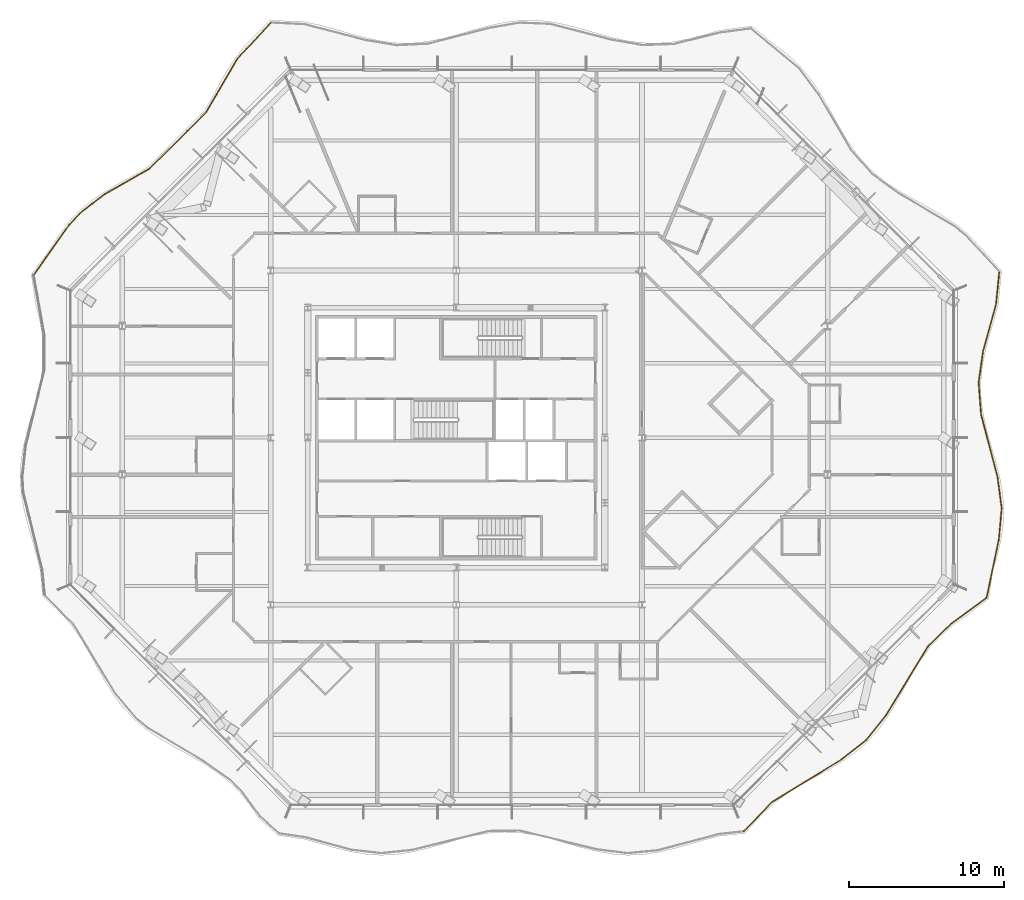
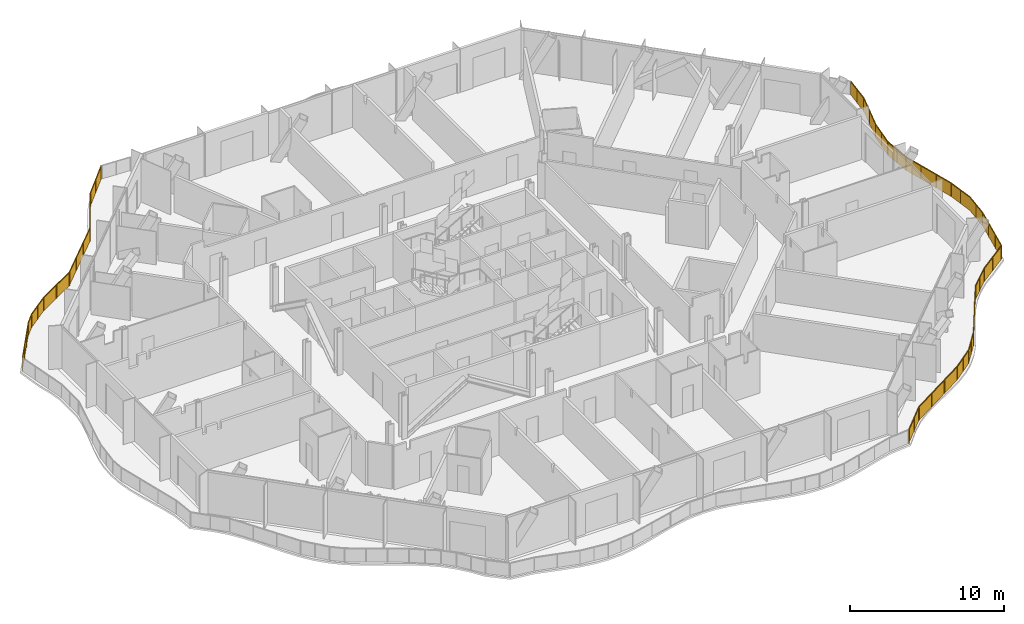
# One storey, part 17 of 19: 3 railings.
"""IFC4 building model written with IfcOpenShell, lengths in metres."""

from ifc_helpers import new_model, si_unit, direction, frame, origin, origin_2d, place, context, subcontext, project, spatial, polyline, rectangle, outline, extrude, material, type_object, element, save


model = new_model("IFC4")

# Units and contexts
model_context = context("Model", 3, precision=1e-05, world=origin(), true_north=direction((0.0, 1.0)))
body_context = subcontext(model_context, "Body", "Model", "MODEL_VIEW")
ifc_project = project(units=[si_unit("LENGTHUNIT", "METRE"), si_unit("AREAUNIT", "SQUARE_METRE"), si_unit("VOLUMEUNIT", "CUBIC_METRE"), si_unit("PLANEANGLEUNIT", "RADIAN"), si_unit("MASSUNIT", "GRAM", prefix="KILO")], contexts=[model_context])

# Site, building, storey
site_placement = place(None, origin())
site = spatial("IfcSite", under=ifc_project, at=site_placement, CompositionType="ELEMENT")
building_placement = place(site_placement, origin())
building = spatial("IfcBuilding", under=site, at=building_placement, Name="Cairn Pilgrim Tower", CompositionType="ELEMENT")
storey_placement = place(building_placement, frame((0.0, 0.0, 186.60009765625)))
storey = spatial("IfcBuildingStorey", under=building, at=storey_placement, Name="L47", CompositionType="ELEMENT", Elevation=186.60009765625)

# Railings
ifc_material = material(Name="Bronze anodised aluminium rail and posts with laminated glass infill", Category="aluminium")
railing_type = type_object("IfcRailingType", Name="BALCONY GUARD 1100", PredefinedType="GUARDRAIL", material=ifc_material)
railing_1_placement = place(storey_placement, frame((25.78515625, -23.03857421875, 0.0)))
element("IfcRailing", 1, at=railing_1_placement, inside=storey, type_object=railing_type, Name="Balcony guard BG-4", PredefinedType="GUARDRAIL", context=body_context, shape_type="SweptSolid", body=[
    extrude(rectangle(XDim=0.050048828125, YDim=0.050048828125, at=origin_2d()), frame((0.0, 0.0, 1.0751953125), z_axis=(0.696086992853, 0.717957448866, 0.0), x_axis=(-0.717957448866, 0.696086992853, 0.0)), (0.0, 0.0, 1.0), 2.65673828125),
    extrude(rectangle(XDim=0.050048828125, YDim=0.050048828125, at=origin_2d()), frame((1.849365234375, 1.907470703125, 1.0751953125), z_axis=(0.85289739895, 0.522078563881, 0.0), x_axis=(-0.522078563881, 0.85289739895, 0.0)), (0.0, 0.0, 1.0), 5.246337890625),
    extrude(rectangle(XDim=0.050048828125, YDim=0.050048828125, at=origin_2d()), frame((6.323974609375, 4.646484375, 1.0751953125), z_axis=(0.783392372102, 0.621527466273, 0.0), x_axis=(-0.621527466273, 0.783392372102, 0.0)), (0.0, 0.0, 1.0), 2.024169921875),
    extrude(rectangle(XDim=0.050048828125, YDim=0.050048828125, at=origin_2d()), frame((7.90966796875, 5.904541015625, 1.0751953125), z_axis=(0.627195269755, 0.778862050428, 0.0), x_axis=(-0.778862050428, 0.627195269755, 0.0)), (0.0, 0.0, 1.0), 2.021728515625),
    extrude(rectangle(XDim=0.050048828125, YDim=0.050048828125, at=origin_2d()), frame((9.177734375, 7.479248046875, 1.0751953125), z_axis=(0.520817524225, 0.853668030595, 0.0), x_axis=(-0.853668030595, 0.520817524225, 0.0)), (0.0, 0.0, 1.0), 5.247314453125),
    extrude(rectangle(XDim=0.050048828125, YDim=0.050048828125, at=origin_2d()), frame((11.91064453125, 11.958740234375, 1.0751953125), z_axis=(0.715797796367, 0.698307607517, 0.0), x_axis=(-0.698307607517, 0.715797796367, 0.0)), (0.0, 0.0, 1.0), 2.06591796875),
    extrude(rectangle(XDim=0.050048828125, YDim=0.050048828125, at=origin_2d()), frame((13.389404296875, 13.4013671875, 1.0751953125), z_axis=(0.805356580286, 0.592790670128, 0.0), x_axis=(-0.592790670128, 0.805356580286, 0.0)), (0.0, 0.0, 1.0), 2.79443359375),
    extrude(rectangle(XDim=0.050048828125, YDim=0.050048828125, at=origin_2d()), origin(), (0.0, 0.0, 1.0), 1.050048828125),
    extrude(rectangle(XDim=0.050048828125, YDim=0.050048828125, at=origin_2d()), frame((0.9248046875, 0.95361328125, 0.0)), (0.0, 0.0, 1.0), 1.050048828125),
    extrude(rectangle(XDim=0.050048828125, YDim=0.050048828125, at=origin_2d()), frame((1.849365234375, 1.907470703125, 0.0)), (0.0, 0.0, 1.0), 1.050048828125),
    extrude(rectangle(XDim=0.050048828125, YDim=0.050048828125, at=origin_2d()), frame((3.3408203125, 2.820556640625, 0.0)), (0.0, 0.0, 1.0), 1.050048828125),
    extrude(rectangle(XDim=0.050048828125, YDim=0.050048828125, at=origin_2d()), frame((4.83251953125, 3.7333984375, 0.0)), (0.0, 0.0, 1.0), 1.050048828125),
    extrude(rectangle(XDim=0.050048828125, YDim=0.050048828125, at=origin_2d()), frame((6.323974609375, 4.646484375, 0.0)), (0.0, 0.0, 1.0), 1.050048828125),
    extrude(rectangle(XDim=0.050048828125, YDim=0.050048828125, at=origin_2d()), frame((7.11669921875, 5.275390625, 0.0)), (0.0, 0.0, 1.0), 1.050048828125),
    extrude(rectangle(XDim=0.050048828125, YDim=0.050048828125, at=origin_2d()), frame((7.90966796875, 5.904541015625, 0.0)), (0.0, 0.0, 1.0), 1.050048828125),
    extrude(rectangle(XDim=0.050048828125, YDim=0.050048828125, at=origin_2d()), frame((8.543701171875, 6.69189453125, 0.0)), (0.0, 0.0, 1.0), 1.050048828125),
    extrude(rectangle(XDim=0.050048828125, YDim=0.050048828125, at=origin_2d()), frame((9.177734375, 7.479248046875, 0.0)), (0.0, 0.0, 1.0), 1.050048828125),
    extrude(rectangle(XDim=0.050048828125, YDim=0.050048828125, at=origin_2d()), frame((10.088623046875, 8.972412109375, 0.0)), (0.0, 0.0, 1.0), 1.050048828125),
    extrude(rectangle(XDim=0.050048828125, YDim=0.050048828125, at=origin_2d()), frame((10.999755859375, 10.465576171875, 0.0)), (0.0, 0.0, 1.0), 1.050048828125),
    extrude(rectangle(XDim=0.050048828125, YDim=0.050048828125, at=origin_2d()), frame((11.91064453125, 11.958740234375, 0.0)), (0.0, 0.0, 1.0), 1.050048828125),
    extrude(rectangle(XDim=0.050048828125, YDim=0.050048828125, at=origin_2d()), frame((12.64990234375, 12.68017578125, 0.0)), (0.0, 0.0, 1.0), 1.050048828125),
    extrude(rectangle(XDim=0.050048828125, YDim=0.050048828125, at=origin_2d()), frame((13.389404296875, 13.4013671875, 0.0)), (0.0, 0.0, 1.0), 1.050048828125),
    extrude(rectangle(XDim=0.050048828125, YDim=0.050048828125, at=origin_2d()), frame((14.5146484375, 14.2294921875, 0.0)), (0.0, 0.0, 1.0), 1.050048828125),
    extrude(rectangle(XDim=0.050048828125, YDim=0.050048828125, at=origin_2d()), frame((15.639892578125, 15.057861328125, 0.0)), (0.0, 0.0, 1.0), 1.050048828125),
    extrude(outline(polyline([(0.02490234375, 0.0), (1.303466796875, 0.0), (1.303466796875, 1.050048828125), (0.02490234375, 1.050048828125), (0.02490234375, 0.0)])), frame((-0.00439453125, 0.004150390625, 0.0), z_axis=(0.717957448866, -0.696086992853, 0.0), x_axis=(0.696086992853, 0.717957448866, 0.0)), (0.0, 0.0, 1.0), 0.011962890625),
    extrude(outline(polyline([(0.02490234375, 0.0), (1.303466796875, 0.0), (1.303466796875, 1.050048828125), (0.02490234375, 1.050048828125), (0.02490234375, 0.0)])), frame((0.92041015625, 0.9580078125, 0.0), z_axis=(0.717957448866, -0.696086992853, 0.0), x_axis=(0.696086992853, 0.717957448866, 0.0)), (0.0, 0.0, 1.0), 0.011962890625),
    extrude(outline(polyline([(0.02490234375, 0.0), (1.723876953125, 0.0), (1.723876953125, 1.050048828125), (0.02490234375, 1.050048828125), (0.02490234375, 0.0)])), frame((1.84619140625, 1.91259765625, 0.0), z_axis=(0.522078563881, -0.85289739895, 0.0), x_axis=(0.85289739895, 0.522078563881, 0.0)), (0.0, 0.0, 1.0), 0.011962890625),
    extrude(outline(polyline([(0.02490234375, 0.0), (1.723876953125, 0.0), (1.723876953125, 1.050048828125), (0.02490234375, 1.050048828125), (0.02490234375, 0.0)])), frame((3.337890625, 2.82568359375, 0.0), z_axis=(0.522078563881, -0.85289739895, 0.0), x_axis=(0.85289739895, 0.522078563881, 0.0)), (0.0, 0.0, 1.0), 0.011962890625),
    extrude(outline(polyline([(0.02490234375, 0.0), (1.723876953125, 0.0), (1.723876953125, 1.050048828125), (0.02490234375, 1.050048828125), (0.02490234375, 0.0)])), frame((4.829345703125, 3.738525390625, 0.0), z_axis=(0.522078563881, -0.85289739895, 0.0), x_axis=(0.85289739895, 0.522078563881, 0.0)), (0.0, 0.0, 1.0), 0.011962890625),
    extrude(outline(polyline([(0.02490234375, 0.0), (0.987060546875, 0.0), (0.987060546875, 1.050048828125), (0.02490234375, 1.050048828125), (0.02490234375, 0.0)])), frame((6.3203125, 4.651123046875, 0.0), z_axis=(0.621527466273, -0.783392372102, 0.0), x_axis=(0.783392372102, 0.621527466273, 0.0)), (0.0, 0.0, 1.0), 0.011962890625),
    extrude(outline(polyline([(0.02490234375, 0.0), (0.987060546875, 0.0), (0.987060546875, 1.050048828125), (0.02490234375, 1.050048828125), (0.02490234375, 0.0)])), frame((7.113037109375, 5.2802734375, 0.0), z_axis=(0.621527466273, -0.783392372102, 0.0), x_axis=(0.783392372102, 0.621527466273, 0.0)), (0.0, 0.0, 1.0), 0.011962890625),
    extrude(outline(polyline([(0.02490234375, 0.0), (0.98583984375, 0.0), (0.98583984375, 1.050048828125), (0.02490234375, 1.050048828125), (0.02490234375, 0.0)])), frame((7.905029296875, 5.908203125, 0.0), z_axis=(0.778862050428, -0.627195269755, 0.0), x_axis=(0.627195269755, 0.778862050428, 0.0)), (0.0, 0.0, 1.0), 0.011962890625),
    extrude(outline(polyline([(0.02490234375, 0.0), (0.98583984375, 0.0), (0.98583984375, 1.050048828125), (0.02490234375, 1.050048828125), (0.02490234375, 0.0)])), frame((8.5390625, 6.695556640625, 0.0), z_axis=(0.778862050428, -0.627195269755, 0.0), x_axis=(0.627195269755, 0.778862050428, 0.0)), (0.0, 0.0, 1.0), 0.011962890625),
    extrude(outline(polyline([(0.02490234375, 0.0), (1.72412109375, 0.0), (1.72412109375, 1.050048828125), (0.02490234375, 1.050048828125), (0.02490234375, 0.0)])), frame((9.172607421875, 7.482421875, 0.0), z_axis=(0.853668030595, -0.520817524225, 0.0), x_axis=(0.520817524225, 0.853668030595, 0.0)), (0.0, 0.0, 1.0), 0.011962890625),
    extrude(outline(polyline([(0.02490234375, 0.0), (1.72412109375, 0.0), (1.72412109375, 1.050048828125), (0.02490234375, 1.050048828125), (0.02490234375, 0.0)])), frame((10.08349609375, 8.9755859375, 0.0), z_axis=(0.853668030595, -0.520817524225, 0.0), x_axis=(0.520817524225, 0.853668030595, 0.0)), (0.0, 0.0, 1.0), 0.011962890625),
    extrude(outline(polyline([(0.02490234375, 0.0), (1.72412109375, 0.0), (1.72412109375, 1.050048828125), (0.02490234375, 1.050048828125), (0.02490234375, 0.0)])), frame((10.99462890625, 10.46875, 0.0), z_axis=(0.853668030595, -0.520817524225, 0.0), x_axis=(0.520817524225, 0.853668030595, 0.0)), (0.0, 0.0, 1.0), 0.011962890625),
    extrude(outline(polyline([(0.02490234375, 0.0), (1.0078125, 0.0), (1.0078125, 1.050048828125), (0.02490234375, 1.050048828125), (0.02490234375, 0.0)])), frame((11.906494140625, 11.963134765625, 0.0), z_axis=(0.698307607517, -0.715797796367, 0.0), x_axis=(0.715797796367, 0.698307607517, 0.0)), (0.0, 0.0, 1.0), 0.011962890625),
    extrude(outline(polyline([(0.02490234375, 0.0), (1.0078125, 0.0), (1.0078125, 1.050048828125), (0.02490234375, 1.050048828125), (0.02490234375, 0.0)])), frame((12.645751953125, 12.684326171875, 0.0), z_axis=(0.698307607517, -0.715797796367, 0.0), x_axis=(0.715797796367, 0.698307607517, 0.0)), (0.0, 0.0, 1.0), 0.011962890625),
    extrude(outline(polyline([(0.02490234375, 0.0), (1.3720703125, 0.0), (1.3720703125, 1.050048828125), (0.02490234375, 1.050048828125), (0.02490234375, 0.0)])), frame((13.3857421875, 13.40625, 0.0), z_axis=(0.592790670128, -0.805356580286, 0.0), x_axis=(0.805356580286, 0.592790670128, 0.0)), (0.0, 0.0, 1.0), 0.011962890625),
    extrude(outline(polyline([(0.02490234375, 0.0), (1.3720703125, 0.0), (1.3720703125, 1.050048828125), (0.02490234375, 1.050048828125), (0.02490234375, 0.0)])), frame((14.510986328125, 14.234375, 0.0), z_axis=(0.592790670128, -0.805356580286, 0.0), x_axis=(0.805356580286, 0.592790670128, 0.0)), (0.0, 0.0, 1.0), 0.011962890625),
])
railing_2_placement = place(storey_placement, frame((41.473388671875, -7.945068359375, 0.0)))
element("IfcRailing", 2, at=railing_2_placement, inside=storey, type_object=railing_type, Name="Balcony guard BG-5", PredefinedType="GUARDRAIL", context=body_context, shape_type="SweptSolid", body=[
    extrude(rectangle(XDim=0.050048828125, YDim=0.050048828125, at=origin_2d()), frame((0.0, 0.0, 1.0751953125), z_axis=(0.205493739415, 0.97865843023, 0.0), x_axis=(-0.97865843023, 0.205493739415, 0.0)), (0.0, 0.0, 1.0), 3.88134765625),
    extrude(rectangle(XDim=0.050048828125, YDim=0.050048828125, at=origin_2d()), frame((0.797607421875, 3.798583984375, 1.0751953125), z_axis=(0.087491942893, 0.996165227223, 0.0), x_axis=(-0.996165227223, 0.087491942893, 0.0)), (0.0, 0.0, 1.0), 2.00341796875),
    extrude(rectangle(XDim=0.050048828125, YDim=0.050048828125, at=origin_2d()), frame((0.972900390625, 5.79443359375, 1.0751953125), z_axis=(-0.131853840713, 0.991269168636, 0.0), x_axis=(-0.991269168636, -0.131853840713, 0.0)), (0.0, 0.0, 1.0), 2.0126953125),
    extrude(rectangle(XDim=0.050048828125, YDim=0.050048828125, at=origin_2d()), frame((0.70751953125, 7.78955078125, 1.0751953125), z_axis=(-0.254476065544, 0.967079072292, 0.0), x_axis=(-0.967079072292, -0.254476065544, 0.0)), (0.0, 0.0, 1.0), 4.183837890625),
    extrude(rectangle(XDim=0.050048828125, YDim=0.050048828125, at=origin_2d()), frame((-0.357177734375, 11.835693359375, 1.0751953125), z_axis=(-0.078683862761, 0.996899618688, 0.0), x_axis=(-0.996899618688, -0.078683862761, 0.0)), (0.0, 0.0, 1.0), 2.05712890625),
    extrude(rectangle(XDim=0.050048828125, YDim=0.050048828125, at=origin_2d()), frame((-0.51904296875, 13.886474609375, 1.0751953125), z_axis=(0.13993329814, 0.99016093241, 0.0), x_axis=(-0.99016093241, 0.13993329814, 0.0)), (0.0, 0.0, 1.0), 2.0673828125),
    extrude(rectangle(XDim=0.050048828125, YDim=0.050048828125, at=origin_2d()), frame((-0.229736328125, 15.93359375, 1.0751953125), z_axis=(0.266862431594, 0.963734632875, 0.0), x_axis=(-0.963734632875, 0.266862431594, 0.0)), (0.0, 0.0, 1.0), 3.142578125),
    extrude(rectangle(XDim=0.050048828125, YDim=0.050048828125, at=origin_2d()), frame((0.60888671875, 18.962158203125, 1.0751953125), z_axis=(0.100019359985, 0.994985491165, 0.0), x_axis=(-0.994985491165, 0.100019359985, 0.0)), (0.0, 0.0, 1.0), 2.0625),
    extrude(rectangle(XDim=0.050048828125, YDim=0.050048828125, at=origin_2d()), origin(), (0.0, 0.0, 1.0), 1.050048828125),
    extrude(rectangle(XDim=0.050048828125, YDim=0.050048828125, at=origin_2d()), frame((0.265869140625, 1.26611328125, 0.0)), (0.0, 0.0, 1.0), 1.050048828125),
    extrude(rectangle(XDim=0.050048828125, YDim=0.050048828125, at=origin_2d()), frame((0.53173828125, 2.532470703125, 0.0)), (0.0, 0.0, 1.0), 1.050048828125),
    extrude(rectangle(XDim=0.050048828125, YDim=0.050048828125, at=origin_2d()), frame((0.797607421875, 3.798583984375, 0.0)), (0.0, 0.0, 1.0), 1.050048828125),
    extrude(rectangle(XDim=0.050048828125, YDim=0.050048828125, at=origin_2d()), frame((0.88525390625, 4.79638671875, 0.0)), (0.0, 0.0, 1.0), 1.050048828125),
    extrude(rectangle(XDim=0.050048828125, YDim=0.050048828125, at=origin_2d()), frame((0.972900390625, 5.79443359375, 0.0)), (0.0, 0.0, 1.0), 1.050048828125),
    extrude(rectangle(XDim=0.050048828125, YDim=0.050048828125, at=origin_2d()), frame((0.84033203125, 6.7919921875, 0.0)), (0.0, 0.0, 1.0), 1.050048828125),
    extrude(rectangle(XDim=0.050048828125, YDim=0.050048828125, at=origin_2d()), frame((0.70751953125, 7.78955078125, 0.0)), (0.0, 0.0, 1.0), 1.050048828125),
    extrude(rectangle(XDim=0.050048828125, YDim=0.050048828125, at=origin_2d()), frame((0.3525390625, 9.13818359375, 0.0)), (0.0, 0.0, 1.0), 1.050048828125),
    extrude(rectangle(XDim=0.050048828125, YDim=0.050048828125, at=origin_2d()), frame((-0.002197265625, 10.487060546875, 0.0)), (0.0, 0.0, 1.0), 1.050048828125),
    extrude(rectangle(XDim=0.050048828125, YDim=0.050048828125, at=origin_2d()), frame((-0.357177734375, 11.835693359375, 0.0)), (0.0, 0.0, 1.0), 1.050048828125),
    extrude(rectangle(XDim=0.050048828125, YDim=0.050048828125, at=origin_2d()), frame((-0.43798828125, 12.861083984375, 0.0)), (0.0, 0.0, 1.0), 1.050048828125),
    extrude(rectangle(XDim=0.050048828125, YDim=0.050048828125, at=origin_2d()), frame((-0.51904296875, 13.886474609375, 0.0)), (0.0, 0.0, 1.0), 1.050048828125),
    extrude(rectangle(XDim=0.050048828125, YDim=0.050048828125, at=origin_2d()), frame((-0.37451171875, 14.91015625, 0.0)), (0.0, 0.0, 1.0), 1.050048828125),
    extrude(rectangle(XDim=0.050048828125, YDim=0.050048828125, at=origin_2d()), frame((-0.229736328125, 15.93359375, 0.0)), (0.0, 0.0, 1.0), 1.050048828125),
    extrude(rectangle(XDim=0.050048828125, YDim=0.050048828125, at=origin_2d()), frame((0.189453125, 17.44775390625, 0.0)), (0.0, 0.0, 1.0), 1.050048828125),
    extrude(rectangle(XDim=0.050048828125, YDim=0.050048828125, at=origin_2d()), frame((0.60888671875, 18.962158203125, 0.0)), (0.0, 0.0, 1.0), 1.050048828125),
    extrude(rectangle(XDim=0.050048828125, YDim=0.050048828125, at=origin_2d()), frame((0.7119140625, 19.98828125, 0.0)), (0.0, 0.0, 1.0), 1.050048828125),
    extrude(rectangle(XDim=0.050048828125, YDim=0.050048828125, at=origin_2d()), frame((0.815185546875, 21.014404296875, 0.0)), (0.0, 0.0, 1.0), 1.050048828125),
    extrude(outline(polyline([(0.02490234375, 0.0), (1.268798828125, 0.0), (1.268798828125, 1.050048828125), (0.02490234375, 1.050048828125), (0.02490234375, 0.0)])), frame((-0.005859375, 0.001220703125, 0.0), z_axis=(0.97865843023, -0.205493739415, 0.0), x_axis=(0.205493739415, 0.97865843023, 0.0)), (0.0, 0.0, 1.0), 0.011962890625),
    extrude(outline(polyline([(0.02490234375, 0.0), (1.268798828125, 0.0), (1.268798828125, 1.050048828125), (0.02490234375, 1.050048828125), (0.02490234375, 0.0)])), frame((0.260009765625, 1.267333984375, 0.0), z_axis=(0.97865843023, -0.205493739415, 0.0), x_axis=(0.205493739415, 0.97865843023, 0.0)), (0.0, 0.0, 1.0), 0.011962890625),
    extrude(outline(polyline([(0.02490234375, 0.0), (1.268798828125, 0.0), (1.268798828125, 1.050048828125), (0.02490234375, 1.050048828125), (0.02490234375, 0.0)])), frame((0.52587890625, 2.53369140625, 0.0), z_axis=(0.97865843023, -0.205493739415, 0.0), x_axis=(0.205493739415, 0.97865843023, 0.0)), (0.0, 0.0, 1.0), 0.011962890625),
    extrude(outline(polyline([(0.02490234375, 0.0), (0.976806640625, 0.0), (0.976806640625, 1.050048828125), (0.02490234375, 1.050048828125), (0.02490234375, 0.0)])), frame((0.791748046875, 3.799072265625, 0.0), z_axis=(0.996165227223, -0.087491942893, 0.0), x_axis=(0.087491942893, 0.996165227223, 0.0)), (0.0, 0.0, 1.0), 0.011962890625),
    extrude(outline(polyline([(0.02490234375, 0.0), (0.976806640625, 0.0), (0.976806640625, 1.050048828125), (0.02490234375, 1.050048828125), (0.02490234375, 0.0)])), frame((0.87939453125, 4.797119140625, 0.0), z_axis=(0.996165227223, -0.087491942893, 0.0), x_axis=(0.087491942893, 0.996165227223, 0.0)), (0.0, 0.0, 1.0), 0.011962890625),
    extrude(outline(polyline([(0.02490234375, 0.0), (0.981201171875, 0.0), (0.981201171875, 1.050048828125), (0.02490234375, 1.050048828125), (0.02490234375, 0.0)])), frame((0.967041015625, 5.793701171875, 0.0), z_axis=(0.991269168636, 0.131853840713, 0.0), x_axis=(-0.131853840713, 0.991269168636, 0.0)), (0.0, 0.0, 1.0), 0.011962890625),
    extrude(outline(polyline([(0.02490234375, 0.0), (0.981201171875, 0.0), (0.981201171875, 1.050048828125), (0.02490234375, 1.050048828125), (0.02490234375, 0.0)])), frame((0.834228515625, 6.791259765625, 0.0), z_axis=(0.991269168636, 0.131853840713, 0.0), x_axis=(-0.131853840713, 0.991269168636, 0.0)), (0.0, 0.0, 1.0), 0.011962890625),
    extrude(outline(polyline([(0.02490234375, 0.0), (1.36962890625, 0.0), (1.36962890625, 1.050048828125), (0.02490234375, 1.050048828125), (0.02490234375, 0.0)])), frame((0.70166015625, 7.7880859375, 0.0), z_axis=(0.967079072292, 0.254476065544, 0.0), x_axis=(-0.254476065544, 0.967079072292, 0.0)), (0.0, 0.0, 1.0), 0.011962890625),
    extrude(outline(polyline([(0.02490234375, 0.0), (1.36962890625, 0.0), (1.36962890625, 1.050048828125), (0.02490234375, 1.050048828125), (0.02490234375, 0.0)])), frame((0.346923828125, 9.13671875, 0.0), z_axis=(0.967079072292, 0.254476065544, 0.0), x_axis=(-0.254476065544, 0.967079072292, 0.0)), (0.0, 0.0, 1.0), 0.011962890625),
    extrude(outline(polyline([(0.02490234375, 0.0), (1.36962890625, 0.0), (1.36962890625, 1.050048828125), (0.02490234375, 1.050048828125), (0.02490234375, 0.0)])), frame((-0.008056640625, 10.4853515625, 0.0), z_axis=(0.967079072292, 0.254476065544, 0.0), x_axis=(-0.254476065544, 0.967079072292, 0.0)), (0.0, 0.0, 1.0), 0.011962890625),
    extrude(outline(polyline([(0.02490234375, 0.0), (1.003662109375, 0.0), (1.003662109375, 1.050048828125), (0.02490234375, 1.050048828125), (0.02490234375, 0.0)])), frame((-0.363037109375, 11.835205078125, 0.0), z_axis=(0.996899618688, 0.078683862761, 0.0), x_axis=(-0.078683862761, 0.996899618688, 0.0)), (0.0, 0.0, 1.0), 0.011962890625),
    extrude(outline(polyline([(0.02490234375, 0.0), (1.003662109375, 0.0), (1.003662109375, 1.050048828125), (0.02490234375, 1.050048828125), (0.02490234375, 0.0)])), frame((-0.444091796875, 12.860595703125, 0.0), z_axis=(0.996899618688, 0.078683862761, 0.0), x_axis=(-0.078683862761, 0.996899618688, 0.0)), (0.0, 0.0, 1.0), 0.011962890625),
    extrude(outline(polyline([(0.02490234375, 0.0), (1.0087890625, 0.0), (1.0087890625, 1.050048828125), (0.02490234375, 1.050048828125), (0.02490234375, 0.0)])), frame((-0.52490234375, 13.88720703125, 0.0), z_axis=(0.99016093241, -0.13993329814, 0.0), x_axis=(0.13993329814, 0.99016093241, 0.0)), (0.0, 0.0, 1.0), 0.011962890625),
    extrude(outline(polyline([(0.02490234375, 0.0), (1.0087890625, 0.0), (1.0087890625, 1.050048828125), (0.02490234375, 1.050048828125), (0.02490234375, 0.0)])), frame((-0.38037109375, 14.910888671875, 0.0), z_axis=(0.99016093241, -0.13993329814, 0.0), x_axis=(0.13993329814, 0.99016093241, 0.0)), (0.0, 0.0, 1.0), 0.011962890625),
    extrude(outline(polyline([(0.02490234375, 0.0), (1.546142578125, 0.0), (1.546142578125, 1.050048828125), (0.02490234375, 1.050048828125), (0.02490234375, 0.0)])), frame((-0.235595703125, 15.935302734375, 0.0), z_axis=(0.963734632875, -0.266862431594, 0.0), x_axis=(0.266862431594, 0.963734632875, 0.0)), (0.0, 0.0, 1.0), 0.011962890625),
    extrude(outline(polyline([(0.02490234375, 0.0), (1.546142578125, 0.0), (1.546142578125, 1.050048828125), (0.02490234375, 1.050048828125), (0.02490234375, 0.0)])), frame((0.183837890625, 17.449462890625, 0.0), z_axis=(0.963734632875, -0.266862431594, 0.0), x_axis=(0.266862431594, 0.963734632875, 0.0)), (0.0, 0.0, 1.0), 0.011962890625),
    extrude(outline(polyline([(0.02490234375, 0.0), (1.00634765625, 0.0), (1.00634765625, 1.050048828125), (0.02490234375, 1.050048828125), (0.02490234375, 0.0)])), frame((0.60302734375, 18.962646484375, 0.0), z_axis=(0.994985491165, -0.100019359985, 0.0), x_axis=(0.100019359985, 0.994985491165, 0.0)), (0.0, 0.0, 1.0), 0.011962890625),
    extrude(outline(polyline([(0.02490234375, 0.0), (1.00634765625, 0.0), (1.00634765625, 1.050048828125), (0.02490234375, 1.050048828125), (0.02490234375, 0.0)])), frame((0.7060546875, 19.98876953125, 0.0), z_axis=(0.994985491165, -0.100019359985, 0.0), x_axis=(0.100019359985, 0.994985491165, 0.0)), (0.0, 0.0, 1.0), 0.011962890625),
])
railing_3_placement = place(storey_placement, frame((-4.77490234375, 29.234130859375, 0.0)))
element("IfcRailing", 3, at=railing_3_placement, inside=storey, type_object=railing_type, Name="Balcony guard BG-8", PredefinedType="GUARDRAIL", context=body_context, shape_type="SweptSolid", body=[
    extrude(rectangle(XDim=0.050048828125, YDim=0.050048828125, at=origin_2d()), frame((0.0, 0.0, 1.0751953125), z_axis=(-0.67969336953, -0.733496369055, 0.0), x_axis=(0.733496369055, -0.67969336953, 0.0)), (0.0, 0.0, 1.0), 3.18994140625),
    extrude(rectangle(XDim=0.050048828125, YDim=0.050048828125, at=origin_2d()), frame((-2.168212890625, -2.33984375, 1.0751953125), z_axis=(-0.50580895576, -0.862645524114, 0.0), x_axis=(0.862645524114, -0.50580895576, 0.0)), (0.0, 0.0, 1.0), 3.9921875),
    extrude(rectangle(XDim=0.050048828125, YDim=0.050048828125, at=origin_2d()), frame((-4.1875, -5.78369140625, 1.0751953125), z_axis=(-0.707106781187, -0.707106781187, 0.0), x_axis=(0.707106781187, -0.707106781187, 0.0)), (0.0, 0.0, 1.0), 5.1865234375),
    extrude(rectangle(XDim=0.050048828125, YDim=0.050048828125, at=origin_2d()), frame((-7.85498046875, -9.451171875, 1.0751953125), z_axis=(-0.868490529794, -0.495705759154, 0.0), x_axis=(0.495705759154, -0.868490529794, 0.0)), (0.0, 0.0, 1.0), 3.338623046875),
    extrude(rectangle(XDim=0.050048828125, YDim=0.050048828125, at=origin_2d()), frame((-10.754638671875, -11.106201171875, 1.0751953125), z_axis=(-0.792288667002, -0.61014643172, 0.0), x_axis=(0.61014643172, -0.792288667002, 0.0)), (0.0, 0.0, 1.0), 2.03076171875),
    extrude(rectangle(XDim=0.050048828125, YDim=0.050048828125, at=origin_2d()), frame((-12.363525390625, -12.34521484375, 1.0751953125), z_axis=(-0.679906041635, -0.733299239429, 0.0), x_axis=(0.733299239429, -0.679906041635, 0.0)), (0.0, 0.0, 1.0), 0.996826171875),
    extrude(rectangle(XDim=0.050048828125, YDim=0.050048828125, at=origin_2d()), frame((-13.041259765625, -13.076171875, 1.0751953125), z_axis=(-0.578899166875, -0.815399138209, 0.0), x_axis=(0.815399138209, -0.578899166875, 0.0)), (0.0, 0.0, 1.0), 3.923828125),
    extrude(rectangle(XDim=0.050048828125, YDim=0.050048828125, at=origin_2d()), origin(), (0.0, 0.0, 1.0), 1.050048828125),
    extrude(rectangle(XDim=0.050048828125, YDim=0.050048828125, at=origin_2d()), frame((-1.083984375, -1.169921875, 0.0)), (0.0, 0.0, 1.0), 1.050048828125),
    extrude(rectangle(XDim=0.050048828125, YDim=0.050048828125, at=origin_2d()), frame((-2.168212890625, -2.33984375, 0.0)), (0.0, 0.0, 1.0), 1.050048828125),
    extrude(rectangle(XDim=0.050048828125, YDim=0.050048828125, at=origin_2d()), frame((-2.84130859375, -3.48779296875, 0.0)), (0.0, 0.0, 1.0), 1.050048828125),
    extrude(rectangle(XDim=0.050048828125, YDim=0.050048828125, at=origin_2d()), frame((-3.514404296875, -4.6357421875, 0.0)), (0.0, 0.0, 1.0), 1.050048828125),
    extrude(rectangle(XDim=0.050048828125, YDim=0.050048828125, at=origin_2d()), frame((-4.1875, -5.78369140625, 0.0)), (0.0, 0.0, 1.0), 1.050048828125),
    extrude(rectangle(XDim=0.050048828125, YDim=0.050048828125, at=origin_2d()), frame((-5.409912109375, -7.006103515625, 0.0)), (0.0, 0.0, 1.0), 1.050048828125),
    extrude(rectangle(XDim=0.050048828125, YDim=0.050048828125, at=origin_2d()), frame((-6.632568359375, -8.228759765625, 0.0)), (0.0, 0.0, 1.0), 1.050048828125),
    extrude(rectangle(XDim=0.050048828125, YDim=0.050048828125, at=origin_2d()), frame((-7.85498046875, -9.451171875, 0.0)), (0.0, 0.0, 1.0), 1.050048828125),
    extrude(rectangle(XDim=0.050048828125, YDim=0.050048828125, at=origin_2d()), frame((-9.3046875, -10.27880859375, 0.0)), (0.0, 0.0, 1.0), 1.050048828125),
    extrude(rectangle(XDim=0.050048828125, YDim=0.050048828125, at=origin_2d()), frame((-10.754638671875, -11.106201171875, 0.0)), (0.0, 0.0, 1.0), 1.050048828125),
    extrude(rectangle(XDim=0.050048828125, YDim=0.050048828125, at=origin_2d()), frame((-11.55908203125, -11.7255859375, 0.0)), (0.0, 0.0, 1.0), 1.050048828125),
    extrude(rectangle(XDim=0.050048828125, YDim=0.050048828125, at=origin_2d()), frame((-12.363525390625, -12.34521484375, 0.0)), (0.0, 0.0, 1.0), 1.050048828125),
    extrude(rectangle(XDim=0.050048828125, YDim=0.050048828125, at=origin_2d()), frame((-13.041259765625, -13.076171875, 0.0)), (0.0, 0.0, 1.0), 1.050048828125),
    extrude(rectangle(XDim=0.050048828125, YDim=0.050048828125, at=origin_2d()), frame((-13.79833984375, -14.142578125, 0.0)), (0.0, 0.0, 1.0), 1.050048828125),
    extrude(rectangle(XDim=0.050048828125, YDim=0.050048828125, at=origin_2d()), frame((-14.5556640625, -15.209228515625, 0.0)), (0.0, 0.0, 1.0), 1.050048828125),
    extrude(rectangle(XDim=0.050048828125, YDim=0.050048828125, at=origin_2d()), frame((-15.312744140625, -16.275634765625, 0.0)), (0.0, 0.0, 1.0), 1.050048828125),
    extrude(outline(polyline([(0.02490234375, 0.0), (1.570068359375, 0.0), (1.570068359375, 1.050048828125), (0.02490234375, 1.050048828125), (0.02490234375, 0.0)])), frame((0.00439453125, -0.004150390625, 0.0), z_axis=(-0.733496369055, 0.67969336953, 0.0), x_axis=(-0.67969336953, -0.733496369055, 0.0)), (0.0, 0.0, 1.0), 0.011962890625),
    extrude(outline(polyline([(0.02490234375, 0.0), (1.570068359375, 0.0), (1.570068359375, 1.050048828125), (0.02490234375, 1.050048828125), (0.02490234375, 0.0)])), frame((-1.079833984375, -1.174072265625, 0.0), z_axis=(-0.733496369055, 0.67969336953, 0.0), x_axis=(-0.67969336953, -0.733496369055, 0.0)), (0.0, 0.0, 1.0), 0.011962890625),
    extrude(outline(polyline([(0.02490234375, 0.0), (1.3056640625, 0.0), (1.3056640625, 1.050048828125), (0.02490234375, 1.050048828125), (0.02490234375, 0.0)])), frame((-2.1630859375, -2.3427734375, 0.0), z_axis=(-0.862645524114, 0.50580895576, 0.0), x_axis=(-0.50580895576, -0.862645524114, 0.0)), (0.0, 0.0, 1.0), 0.011962890625),
    extrude(outline(polyline([(0.02490234375, 0.0), (1.3056640625, 0.0), (1.3056640625, 1.050048828125), (0.02490234375, 1.050048828125), (0.02490234375, 0.0)])), frame((-2.836181640625, -3.49072265625, 0.0), z_axis=(-0.862645524114, 0.50580895576, 0.0), x_axis=(-0.50580895576, -0.862645524114, 0.0)), (0.0, 0.0, 1.0), 0.011962890625),
    extrude(outline(polyline([(0.02490234375, 0.0), (1.3056640625, 0.0), (1.3056640625, 1.050048828125), (0.02490234375, 1.050048828125), (0.02490234375, 0.0)])), frame((-3.50927734375, -4.638671875, 0.0), z_axis=(-0.862645524114, 0.50580895576, 0.0), x_axis=(-0.50580895576, -0.862645524114, 0.0)), (0.0, 0.0, 1.0), 0.011962890625),
    extrude(outline(polyline([(0.02490234375, 0.0), (1.703857421875, 0.0), (1.703857421875, 1.050048828125), (0.02490234375, 1.050048828125), (0.02490234375, 0.0)])), frame((-4.183349609375, -5.787841796875, 0.0), z_axis=(-0.707106781187, 0.707106781187, 0.0), x_axis=(-0.707106781187, -0.707106781187, 0.0)), (0.0, 0.0, 1.0), 0.011962890625),
    extrude(outline(polyline([(0.02490234375, 0.0), (1.703857421875, 0.0), (1.703857421875, 1.050048828125), (0.02490234375, 1.050048828125), (0.02490234375, 0.0)])), frame((-5.40576171875, -7.010498046875, 0.0), z_axis=(-0.707106781187, 0.707106781187, 0.0), x_axis=(-0.707106781187, -0.707106781187, 0.0)), (0.0, 0.0, 1.0), 0.011962890625),
    extrude(outline(polyline([(0.02490234375, 0.0), (1.703857421875, 0.0), (1.703857421875, 1.050048828125), (0.02490234375, 1.050048828125), (0.02490234375, 0.0)])), frame((-6.628173828125, -8.23291015625, 0.0), z_axis=(-0.707106781187, 0.707106781187, 0.0), x_axis=(-0.707106781187, -0.707106781187, 0.0)), (0.0, 0.0, 1.0), 0.011962890625),
    extrude(outline(polyline([(0.02490234375, 0.0), (1.644287109375, 0.0), (1.644287109375, 1.050048828125), (0.02490234375, 1.050048828125), (0.02490234375, 0.0)])), frame((-7.85205078125, -9.456298828125, 0.0), z_axis=(-0.495705759154, 0.868490529794, 0.0), x_axis=(-0.868490529794, -0.495705759154, 0.0)), (0.0, 0.0, 1.0), 0.011962890625),
    extrude(outline(polyline([(0.02490234375, 0.0), (1.644287109375, 0.0), (1.644287109375, 1.050048828125), (0.02490234375, 1.050048828125), (0.02490234375, 0.0)])), frame((-9.3017578125, -10.283935546875, 0.0), z_axis=(-0.495705759154, 0.868490529794, 0.0), x_axis=(-0.868490529794, -0.495705759154, 0.0)), (0.0, 0.0, 1.0), 0.011962890625),
    extrude(outline(polyline([(0.02490234375, 0.0), (0.990234375, 0.0), (0.990234375, 1.050048828125), (0.02490234375, 1.050048828125), (0.02490234375, 0.0)])), frame((-10.7509765625, -11.11083984375, 0.0), z_axis=(-0.61014643172, 0.792288667002, 0.0), x_axis=(-0.792288667002, -0.61014643172, 0.0)), (0.0, 0.0, 1.0), 0.011962890625),
    extrude(outline(polyline([(0.02490234375, 0.0), (0.990234375, 0.0), (0.990234375, 1.050048828125), (0.02490234375, 1.050048828125), (0.02490234375, 0.0)])), frame((-11.555419921875, -11.73046875, 0.0), z_axis=(-0.61014643172, 0.792288667002, 0.0), x_axis=(-0.792288667002, -0.61014643172, 0.0)), (0.0, 0.0, 1.0), 0.011962890625),
    extrude(outline(polyline([(0.02490234375, 0.0), (0.9716796875, 0.0), (0.9716796875, 1.050048828125), (0.02490234375, 1.050048828125), (0.02490234375, 0.0)])), frame((-12.359130859375, -12.349365234375, 0.0), z_axis=(-0.733299239429, 0.679906041635, 0.0), x_axis=(-0.679906041635, -0.733299239429, 0.0)), (0.0, 0.0, 1.0), 0.011962890625),
    extrude(outline(polyline([(0.02490234375, 0.0), (1.282958984375, 0.0), (1.282958984375, 1.050048828125), (0.02490234375, 1.050048828125), (0.02490234375, 0.0)])), frame((-13.036376953125, -13.07958984375, 0.0), z_axis=(-0.815399138209, 0.578899166875, 0.0), x_axis=(-0.578899166875, -0.815399138209, 0.0)), (0.0, 0.0, 1.0), 0.011962890625),
    extrude(outline(polyline([(0.02490234375, 0.0), (1.282958984375, 0.0), (1.282958984375, 1.050048828125), (0.02490234375, 1.050048828125), (0.02490234375, 0.0)])), frame((-13.79345703125, -14.146240234375, 0.0), z_axis=(-0.815399138209, 0.578899166875, 0.0), x_axis=(-0.578899166875, -0.815399138209, 0.0)), (0.0, 0.0, 1.0), 0.011962890625),
    extrude(outline(polyline([(0.02490234375, 0.0), (1.282958984375, 0.0), (1.282958984375, 1.050048828125), (0.02490234375, 1.050048828125), (0.02490234375, 0.0)])), frame((-14.55078125, -15.212646484375, 0.0), z_axis=(-0.815399138209, 0.578899166875, 0.0), x_axis=(-0.578899166875, -0.815399138209, 0.0)), (0.0, 0.0, 1.0), 0.011962890625),
])

save(model, "model.ifc")
